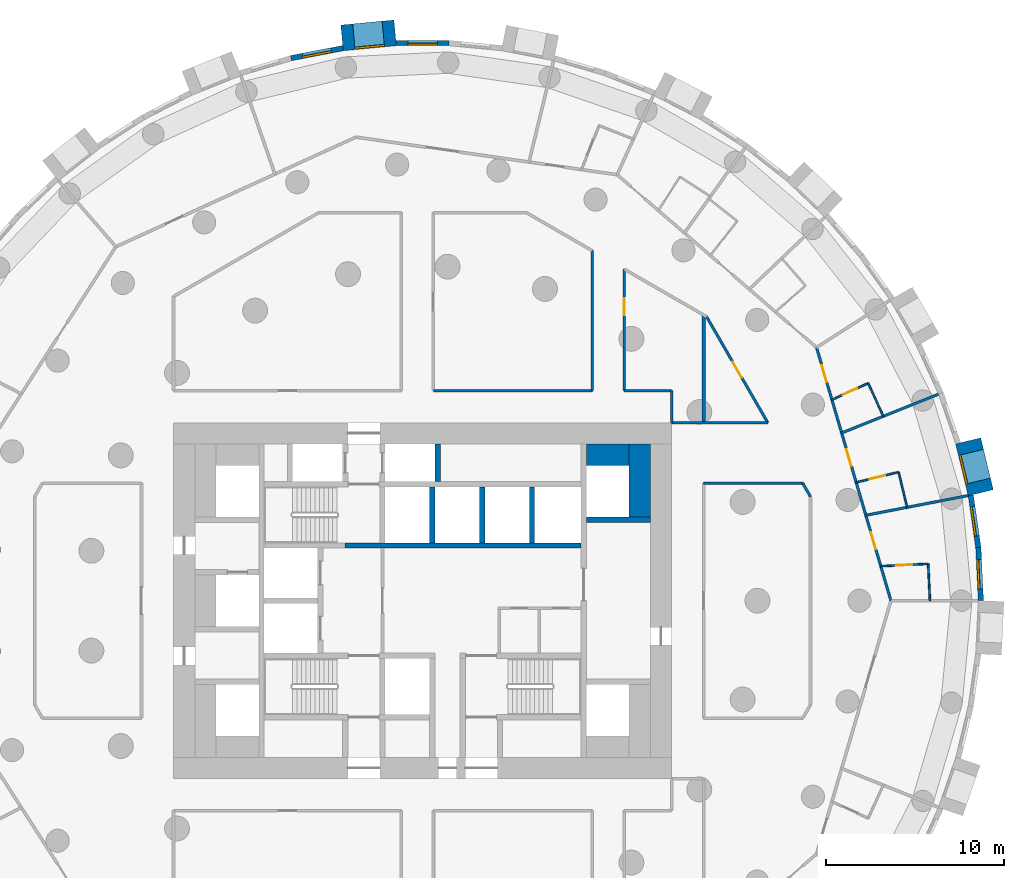
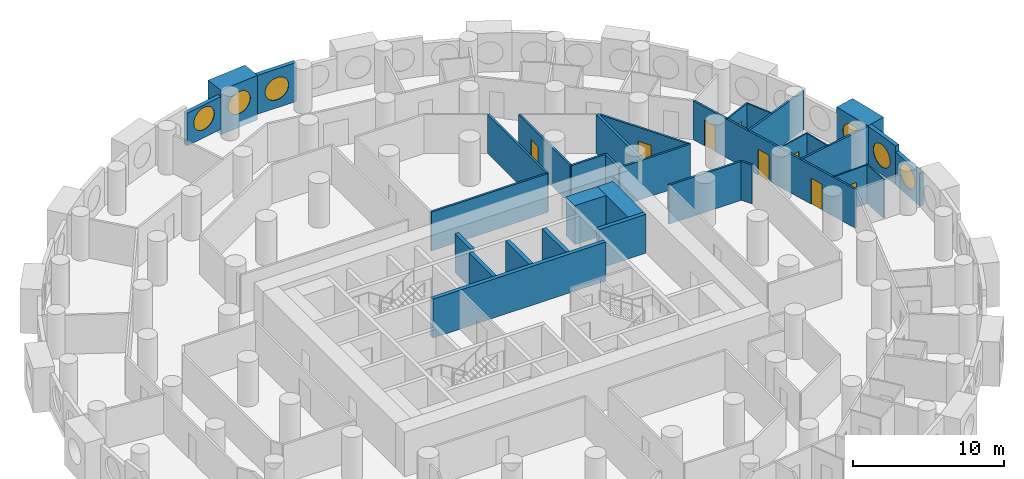
# One storey, part 8 of 12: 33 walls, 8 doors, 6 windows, 14 openings.
"""IFC4 building model written with IfcOpenShell, lengths in metres."""

from ifc_helpers import new_model, si_unit, direction, frame, frame_2d, origin, origin_2d, place, context, subcontext, project, spatial, rectangle, circle, extrude, material, layer, layer_set, type_object, element, fill, save


model = new_model("IFC4")

# Units and contexts
model_context = context("Model", 3, precision=1e-05, world=origin(), true_north=direction((0.0, 1.0)))
body_context = subcontext(model_context, "Body", "Model", "MODEL_VIEW")
ifc_project = project(units=[si_unit("LENGTHUNIT", "METRE"), si_unit("AREAUNIT", "SQUARE_METRE"), si_unit("VOLUMEUNIT", "CUBIC_METRE"), si_unit("PLANEANGLEUNIT", "RADIAN"), si_unit("MASSUNIT", "GRAM", prefix="KILO")], contexts=[model_context])

# Site, building, storey
site_placement = place(None, origin())
site = spatial("IfcSite", under=ifc_project, at=site_placement, CompositionType="ELEMENT")
building_placement = place(site_placement, origin())
building = spatial("IfcBuilding", under=site, at=building_placement, Name="Tracery Tower", CompositionType="ELEMENT")
storey_placement = place(building_placement, frame((0.0, 0.0, 78.60009765625)))
storey = spatial("IfcBuildingStorey", under=building, at=storey_placement, Name="L19", CompositionType="ELEMENT", Elevation=78.60009765625)

# Walls
ifc_material_1 = material(Name="Concrete C60/75", Category="concrete")
ifc_layer_1 = layer(ifc_material_1, 1.199951171875)
ifc_layer_set_1 = layer_set([ifc_layer_1], Name="Core strip wall 1200 C60")
wall_type_1 = type_object("IfcWallType", Name="Core strip wall 1200 C60", PredefinedType="SOLIDWALL", material=ifc_layer_set_1)
wall_1_placement = place(storey_placement, frame((12.199951171875, 4.699951171875, 0.0), z_axis=(0.0, 0.0, 1.0), x_axis=(0.0, 1.0, 0.0)))
element("IfcWall", 1, at=wall_1_placement, inside=storey, type_object=wall_type_1, Name="L19 wing strip +1 4.55", PredefinedType="SOLIDWALL", context=body_context, shape_type="SweptSolid", body=[
    extrude(rectangle(XDim=4.10009765625, YDim=1.199951171875, at=frame_2d((2.050048828125, 0.0))), origin(), (0.0, 0.0, 1.0), 3.14990234375),
])
wall_2_placement = place(storey_placement, frame((9.199951171875, 8.199951171875, 0.0), z_axis=(0.0, 0.0, 1.0), x_axis=(1.0, 0.0, 0.0)))
element("IfcWall", 2, at=wall_2_placement, inside=storey, type_object=wall_type_1, Name="L19 wing corner +1 +8.2", PredefinedType="SOLIDWALL", context=body_context, shape_type="SweptSolid", body=[
    extrude(rectangle(XDim=2.400146484375, YDim=1.199951171875, at=frame_2d((1.2001953125, 0.0))), origin(), (0.0, 0.0, 1.0), 3.14990234375),
])

# Wall, opening, window
ifc_material_2 = material(Name="Precast concrete C50/60", Category="concrete")
ifc_layer_2 = layer(ifc_material_2, 1.449951171875)
ifc_layer_set_2 = layer_set([ifc_layer_2], Name="Deep-set bay unit 3000 x 3600, slab edge 450")
wall_type_2 = type_object("IfcWallType", Name="Deep-set bay unit 3000 x 3600, slab edge 450", PredefinedType="ELEMENTEDWALL", material=ifc_layer_set_2)
wall_3_placement = place(storey_placement, frame((31.367919921875, 6.066162109375, -0.4501953125), z_axis=(0.0, 0.0, 1.0), x_axis=(-0.235751415068, 0.971813392732, 0.0)))
wall_3 = element("IfcWall", 3, at=wall_3_placement, inside=storey, type_object=wall_type_2, Name="Deep-set bay unit 3 at L19", PredefinedType="ELEMENTEDWALL", context=body_context, shape_type="SweptSolid", body=[
    extrude(rectangle(XDim=3.0, YDim=1.449951171875, at=frame_2d((1.5, 0.0))), origin(), (0.0, 0.0, 1.0), 3.60009765625),
])
opening_1_placement = place(wall_3_placement, frame((1.5, 0.0, 2.0)))
opening_1 = element("IfcOpeningElement", 4, at=opening_1_placement, cuts=wall_3, Name="Opening WN1", PredefinedType="OPENING", context=body_context, shape_type="SweptSolid", body=[
    extrude(circle(Radius=0.9000244140625, at=origin_2d()), frame((0.0, 0.73486328125, 0.0), z_axis=(0.0, -1.0, 0.0), x_axis=(1.0, 0.0, 0.0)), (0.0, 0.0, 1.0), 1.469970703125),
])
ifc_material_3 = material(Name="Aluminium frame with tinted double glazing", Category="aluminium")
window_type = type_object("IfcWindowType", Name="Round window 1800", PartitioningType="SINGLE_PANEL", PredefinedType="WINDOW", material=ifc_material_3)
window_1_placement = place(opening_1_placement, origin())
window_1 = element("IfcWindow", 5, at=window_1_placement, inside=storey, type_object=window_type, Name="Round window 3 at L19", OverallHeight=1.800048828125, OverallWidth=1.800048828125, PartitioningType="SINGLE_PANEL", PredefinedType="WINDOW", context=body_context, shape_type="SweptSolid", body=[
    extrude(circle(Radius=0.9000244140625, at=origin_2d()), frame((0.0, 0.69482421875, 0.0), z_axis=(0.0, -1.0, 0.0), x_axis=(1.0, 0.0, 0.0)), (0.0, 0.0, 1.0), 0.10009765625),
])
fill(opening_1, window_1)

wall_4_placement = place(storey_placement, frame((-1.540283203125, 31.911865234375, -0.4501953125), z_axis=(0.0, 0.0, 1.0), x_axis=(-0.995472768558, -0.09504718333, 0.0)))
wall_4 = element("IfcWall", 6, at=wall_4_placement, inside=storey, type_object=wall_type_2, Name="Deep-set bay unit 18 at L19", PredefinedType="ELEMENTEDWALL", context=body_context, shape_type="SweptSolid", body=[
    extrude(rectangle(XDim=3.000244140625, YDim=1.449951171875, at=frame_2d((1.5, 0.0))), origin(), (0.0, 0.0, 1.0), 3.60009765625),
])
opening_2_placement = place(wall_4_placement, frame((1.5, 0.0, 2.0)))
opening_2 = element("IfcOpeningElement", 7, at=opening_2_placement, cuts=wall_4, Name="Opening WN1", PredefinedType="OPENING", context=body_context, shape_type="SweptSolid", body=[
    extrude(circle(Radius=0.9000244140625, at=origin_2d()), frame((0.0, 0.73486328125, 0.0), z_axis=(0.0, -1.0, 0.0), x_axis=(1.0, 0.0, 0.0)), (0.0, 0.0, 1.0), 1.469970703125),
])
window_2_placement = place(opening_2_placement, origin())
window_2 = element("IfcWindow", 8, at=window_2_placement, inside=storey, type_object=window_type, Name="Round window 18 at L19", OverallHeight=1.800048828125, OverallWidth=1.800048828125, PartitioningType="SINGLE_PANEL", PredefinedType="WINDOW", context=body_context, shape_type="SweptSolid", body=[
    extrude(circle(Radius=0.9000244140625, at=origin_2d()), frame((0.0, 0.69482421875, 0.0), z_axis=(0.0, -1.0, 0.0), x_axis=(1.0, 0.0, 0.0)), (0.0, 0.0, 1.0), 0.10009765625),
])
fill(opening_2, window_2)

ifc_material_4 = material(Name="Precast concrete C50/60", Category="concrete")
ifc_layer_3 = layer(ifc_material_4, 0.300048828125)
ifc_layer_set_3 = layer_set([ifc_layer_3], Name="Facade panel 3000 x 2650")
wall_type_3 = type_object("IfcWallType", Name="Facade panel 3000 x 2650", PredefinedType="SOLIDWALL", material=ifc_layer_set_3)
wall_5_placement = place(storey_placement, frame((31.3740234375, 0.006103515625, 0.0), z_axis=(0.0, 0.0, 1.0), x_axis=(-0.047522328113, 0.998870175914, 0.0)))
wall_5 = element("IfcWall", 9, at=wall_5_placement, inside=storey, type_object=wall_type_3, Name="Facade panel 1 at L19", PredefinedType="SOLIDWALL", context=body_context, shape_type="SweptSolid", body=[
    extrude(rectangle(XDim=2.979736328125, YDim=0.300048828125, at=frame_2d((1.48974609375, 0.0))), origin(), (0.0, 0.0, 1.0), 2.64990234375),
])
opening_3_placement = place(wall_5_placement, frame((1.48974609375, 0.0, 1.5498046875)))
opening_3 = element("IfcOpeningElement", 10, at=opening_3_placement, cuts=wall_5, Name="Opening WN1", PredefinedType="OPENING", context=body_context, shape_type="SweptSolid", body=[
    extrude(circle(Radius=0.9000244140625, at=origin_2d()), frame((0.0, 0.159912109375, 0.0), z_axis=(0.0, -1.0, 0.0), x_axis=(1.0, 0.0, 0.0)), (0.0, 0.0, 1.0), 0.320068359375),
])
window_3_placement = place(opening_3_placement, origin())
window_3 = element("IfcWindow", 11, at=window_3_placement, inside=storey, type_object=window_type, Name="Round window 1 at L19", OverallHeight=1.800048828125, OverallWidth=1.800048828125, PartitioningType="SINGLE_PANEL", PredefinedType="WINDOW", context=body_context, shape_type="SweptSolid", body=[
    extrude(circle(Radius=0.9000244140625, at=origin_2d()), frame((0.0, 0.1201171875, 0.0), z_axis=(0.0, -1.0, 0.0), x_axis=(1.0, 0.0, 0.0)), (0.0, 0.0, 1.0), 0.10009765625),
])
fill(opening_3, window_3)

wall_6_placement = place(storey_placement, frame((-4.470947265625, 31.053955078125, 0.0), z_axis=(0.0, 0.0, 1.0), x_axis=(-0.981924535406, -0.189272836848, 0.0)))
wall_6 = element("IfcWall", 12, at=wall_6_placement, inside=storey, type_object=wall_type_3, Name="Facade panel 19 at L19", PredefinedType="SOLIDWALL", context=body_context, shape_type="SweptSolid", body=[
    extrude(rectangle(XDim=2.979736328125, YDim=0.300048828125, at=frame_2d((1.48974609375, 0.0))), origin(), (0.0, 0.0, 1.0), 2.64990234375),
])
opening_4_placement = place(wall_6_placement, frame((1.48974609375, 0.0, 1.5498046875)))
opening_4 = element("IfcOpeningElement", 13, at=opening_4_placement, cuts=wall_6, Name="Opening WN1", PredefinedType="OPENING", context=body_context, shape_type="SweptSolid", body=[
    extrude(circle(Radius=0.9000244140625, at=origin_2d()), frame((0.0, 0.159912109375, 0.0), z_axis=(0.0, -1.0, 0.0), x_axis=(1.0, 0.0, 0.0)), (0.0, 0.0, 1.0), 0.320068359375),
])
window_4_placement = place(opening_4_placement, origin())
window_4 = element("IfcWindow", 14, at=window_4_placement, inside=storey, type_object=window_type, Name="Round window 19 at L19", OverallHeight=1.800048828125, OverallWidth=1.800048828125, PartitioningType="SINGLE_PANEL", PredefinedType="WINDOW", context=body_context, shape_type="SweptSolid", body=[
    extrude(circle(Radius=0.9000244140625, at=origin_2d()), frame((0.0, 0.1201171875, 0.0), z_axis=(0.0, -1.0, 0.0), x_axis=(1.0, 0.0, 0.0)), (0.0, 0.0, 1.0), 0.10009765625),
])
fill(opening_4, window_4)

ifc_material_5 = material(Name="Precast concrete C50/60", Category="concrete")
ifc_layer_4 = layer(ifc_material_5, 0.300048828125)
ifc_layer_set_4 = layer_set([ifc_layer_4], Name="Facade panel 3000 x 3150")
wall_type_4 = type_object("IfcWallType", Name="Facade panel 3000 x 3150", PredefinedType="SOLIDWALL", material=ifc_layer_set_4)
wall_7_placement = place(storey_placement, frame((31.232421875, 2.982421875, 0.0), z_axis=(0.0, 0.0, 1.0), x_axis=(-0.142327539111, 0.989819615693, 0.0)))
wall_7 = element("IfcWall", 15, at=wall_7_placement, inside=storey, type_object=wall_type_4, Name="Facade panel 2 at L19", PredefinedType="SOLIDWALL", context=body_context, shape_type="SweptSolid", body=[
    extrude(rectangle(XDim=2.9794921875, YDim=0.300048828125, at=frame_2d((1.48974609375, 0.0))), origin(), (0.0, 0.0, 1.0), 3.14990234375),
])
opening_5_placement = place(wall_7_placement, frame((1.48974609375, 0.0, 1.5498046875)))
opening_5 = element("IfcOpeningElement", 16, at=opening_5_placement, cuts=wall_7, Name="Opening WN1", PredefinedType="OPENING", context=body_context, shape_type="SweptSolid", body=[
    extrude(circle(Radius=0.9000244140625, at=origin_2d()), frame((0.0, 0.159912109375, 0.0), z_axis=(0.0, -1.0, 0.0), x_axis=(1.0, 0.0, 0.0)), (0.0, 0.0, 1.0), 0.320068359375),
])
window_5_placement = place(opening_5_placement, origin())
window_5 = element("IfcWindow", 17, at=window_5_placement, inside=storey, type_object=window_type, Name="Round window 2 at L19", OverallHeight=1.800048828125, OverallWidth=1.800048828125, PartitioningType="SINGLE_PANEL", PredefinedType="WINDOW", context=body_context, shape_type="SweptSolid", body=[
    extrude(circle(Radius=0.9000244140625, at=origin_2d()), frame((0.0, 0.1201171875, 0.0), z_axis=(0.0, -1.0, 0.0), x_axis=(1.0, 0.0, 0.0)), (0.0, 0.0, 1.0), 0.10009765625),
])
fill(opening_5, window_5)

wall_8_placement = place(storey_placement, frame((1.492919921875, 31.3388671875, 0.0), z_axis=(0.0, 0.0, 1.0), x_axis=(-1.0, 0.0, 0.0)))
wall_8 = element("IfcWall", 18, at=wall_8_placement, inside=storey, type_object=wall_type_4, Name="Facade panel 17 at L19", PredefinedType="SOLIDWALL", context=body_context, shape_type="SweptSolid", body=[
    extrude(rectangle(XDim=2.979736328125, YDim=0.300048828125, at=frame_2d((1.48974609375, 0.0))), origin(), (0.0, 0.0, 1.0), 3.14990234375),
])
opening_6_placement = place(wall_8_placement, frame((1.48974609375, 0.0, 1.5498046875)))
opening_6 = element("IfcOpeningElement", 19, at=opening_6_placement, cuts=wall_8, Name="Opening WN1", PredefinedType="OPENING", context=body_context, shape_type="SweptSolid", body=[
    extrude(circle(Radius=0.9000244140625, at=origin_2d()), frame((0.0, 0.159912109375, 0.0), z_axis=(0.0, -1.0, 0.0), x_axis=(1.0, 0.0, 0.0)), (0.0, 0.0, 1.0), 0.320068359375),
])
window_6_placement = place(opening_6_placement, origin())
window_6 = element("IfcWindow", 20, at=window_6_placement, inside=storey, type_object=window_type, Name="Round window 17 at L19", OverallHeight=1.800048828125, OverallWidth=1.800048828125, PartitioningType="SINGLE_PANEL", PredefinedType="WINDOW", context=body_context, shape_type="SweptSolid", body=[
    extrude(circle(Radius=0.9000244140625, at=origin_2d()), frame((0.0, 0.1201171875, 0.0), z_axis=(0.0, -1.0, 0.0), x_axis=(1.0, 0.0, 0.0)), (0.0, 0.0, 1.0), 0.10009765625),
])
fill(opening_6, window_6)

# Wall
ifc_material_6 = material(Name="Plasterboard on steel studs", Category="steel")
ifc_layer_5 = layer(ifc_material_6, 0.10009765625)
ifc_layer_set_5 = layer_set([ifc_layer_5], Name="Partition 100 wet wall")
wall_type_5 = type_object("IfcWallType", Name="Partition 100 wet wall", PredefinedType="PARTITIONING", material=ifc_layer_set_5)
wall_9_placement = place(storey_placement, frame((28.412109375, 2.069091796875, 0.0), z_axis=(0.0, 0.0, 1.0), x_axis=(0.047733138673, -0.998860124078, 0.0)))
element("IfcWall", 21, at=wall_9_placement, inside=storey, type_object=wall_type_5, Name="Wet wall RA5-058", PredefinedType="PARTITIONING", context=body_context, shape_type="SweptSolid", body=[
    extrude(rectangle(XDim=2.071533203125, YDim=0.10009765625, at=frame_2d((1.03564453125, 0.0))), origin(), (0.0, 0.0, 1.0), 3.14990234375),
])

# Wall, opening, door
wall_10_placement = place(storey_placement, frame((25.7490234375, 1.94189453125, 0.0), z_axis=(0.0, 0.0, 1.0), x_axis=(0.998861290624, 0.047708721344, 0.0)))
wall_10 = element("IfcWall", 22, at=wall_10_placement, inside=storey, type_object=wall_type_5, Name="Wet wall RA5-059", PredefinedType="PARTITIONING", context=body_context, shape_type="SweptSolid", body=[
    extrude(rectangle(XDim=2.666015625, YDim=0.10009765625, at=frame_2d((1.3330078125, 0.0))), origin(), (0.0, 0.0, 1.0), 3.14990234375),
])
opening_7_placement = place(wall_10_placement, frame((0.883056640625, 0.0, 0.0)))
opening_7 = element("IfcOpeningElement", 23, at=opening_7_placement, cuts=wall_10, Name="Opening RA5-10", PredefinedType="OPENING", context=body_context, shape_type="SweptSolid", body=[
    extrude(rectangle(XDim=0.89990234375, YDim=2.0400390625, at=frame_2d((0.449951171875, 1.02001953125))), frame((0.0, 0.050048828125, 0.0), z_axis=(0.0, -1.0, 0.0), x_axis=(1.0, 0.0, 0.0)), (0.0, 0.0, 1.0), 0.10009765625),
])
ifc_material_7 = material(Name="Timber door leaf", Category="wood")
door_type_1 = type_object("IfcDoorType", Name="Door en-suite 900", OperationType="NOTDEFINED", PredefinedType="DOOR", material=ifc_material_7)
door_1_placement = place(opening_7_placement, origin())
door_1 = element("IfcDoor", 24, at=door_1_placement, inside=storey, type_object=door_type_1, Name="En-suite door RA5-10", OperationType="SINGLE_SWING_LEFT", OverallHeight=2.0400390625, OverallWidth=0.89990234375, PredefinedType="DOOR", context=body_context, shape_type="SweptSolid", body=[
    extrude(rectangle(XDim=0.89990234375, YDim=2.0400390625, at=frame_2d((0.449951171875, 1.02001953125))), frame((0.0, 0.02490234375, 0.0), z_axis=(0.0, -1.0, 0.0), x_axis=(1.0, 0.0, 0.0)), (0.0, 0.0, 1.0), 0.050048828125),
])
fill(opening_7, door_1)

# Wall
wall_11_placement = place(storey_placement, frame((26.75, 7.22509765625, 0.0), z_axis=(0.0, 0.0, 1.0), x_axis=(0.23592286129, -0.97177178572, 0.0)))
element("IfcWall", 25, at=wall_11_placement, inside=storey, type_object=wall_type_5, Name="Wet wall RA5-062", PredefinedType="PARTITIONING", context=body_context, shape_type="SweptSolid", body=[
    extrude(rectangle(XDim=2.034423828125, YDim=0.10009765625, at=frame_2d((1.01708984375, 0.0))), origin(), (0.0, 0.0, 1.0), 3.14990234375),
])

# Wall, opening, door
wall_12_placement = place(storey_placement, frame((24.366943359375, 6.64599609375, 0.0), z_axis=(0.0, 0.0, 1.0), x_axis=(0.971720101056, 0.236135650006, 0.0)))
wall_12 = element("IfcWall", 26, at=wall_12_placement, inside=storey, type_object=wall_type_5, Name="Wet wall RA5-063", PredefinedType="PARTITIONING", context=body_context, shape_type="SweptSolid", body=[
    extrude(rectangle(XDim=2.452392578125, YDim=0.10009765625, at=frame_2d((1.22607421875, 0.0))), origin(), (0.0, 0.0, 1.0), 3.14990234375),
])
opening_8_placement = place(wall_12_placement, frame((0.7763671875, 0.0, 0.0)))
opening_8 = element("IfcOpeningElement", 27, at=opening_8_placement, cuts=wall_12, Name="Opening RA5-12", PredefinedType="OPENING", context=body_context, shape_type="SweptSolid", body=[
    extrude(rectangle(XDim=0.89990234375, YDim=2.0400390625, at=frame_2d((0.449951171875, 1.02001953125))), frame((0.0, 0.050048828125, 0.0), z_axis=(0.0, -1.0, 0.0), x_axis=(1.0, 0.0, 0.0)), (0.0, 0.0, 1.0), 0.10009765625),
])
door_2_placement = place(opening_8_placement, origin())
door_2 = element("IfcDoor", 28, at=door_2_placement, inside=storey, type_object=door_type_1, Name="En-suite door RA5-12", OperationType="SINGLE_SWING_LEFT", OverallHeight=2.0400390625, OverallWidth=0.89990234375, PredefinedType="DOOR", context=body_context, shape_type="SweptSolid", body=[
    extrude(rectangle(XDim=0.89990234375, YDim=2.0400390625, at=frame_2d((0.449951171875, 1.02001953125))), frame((0.0, 0.02490234375, 0.0), z_axis=(0.0, -1.0, 0.0), x_axis=(1.0, 0.0, 0.0)), (0.0, 0.0, 1.0), 0.050048828125),
])
fill(opening_8, door_2)

# Wall
wall_13_placement = place(storey_placement, frame((25.04296875, 12.221923828125, 0.0), z_axis=(0.0, 0.0, 1.0), x_axis=(0.41546015385, -0.909611378866, 0.0)))
element("IfcWall", 29, at=wall_13_placement, inside=storey, type_object=wall_type_5, Name="Wet wall RA5-065", PredefinedType="PARTITIONING", context=body_context, shape_type="SweptSolid", body=[
    extrude(rectangle(XDim=2.04150390625, YDim=0.10009765625, at=frame_2d((1.020751953125, 0.0))), origin(), (0.0, 0.0, 1.0), 3.14990234375),
])

# Wall, opening, door
wall_14_placement = place(storey_placement, frame((23.0029296875, 11.291015625, 0.0), z_axis=(0.0, 0.0, 1.0), x_axis=(0.90975773562, 0.41513956988, 0.0)))
wall_14 = element("IfcWall", 30, at=wall_14_placement, inside=storey, type_object=wall_type_5, Name="Wet wall RA5-066", PredefinedType="PARTITIONING", context=body_context, shape_type="SweptSolid", body=[
    extrude(rectangle(XDim=2.242431640625, YDim=0.10009765625, at=frame_2d((1.12109375, 0.0))), origin(), (0.0, 0.0, 1.0), 3.14990234375),
])
opening_9_placement = place(wall_14_placement, frame((0.67138671875, 0.0, 0.0)))
opening_9 = element("IfcOpeningElement", 31, at=opening_9_placement, cuts=wall_14, Name="Opening RA5-14", PredefinedType="OPENING", context=body_context, shape_type="SweptSolid", body=[
    extrude(rectangle(XDim=0.89990234375, YDim=2.0400390625, at=frame_2d((0.449951171875, 1.02001953125))), frame((0.0, 0.050048828125, 0.0), z_axis=(0.0, -1.0, 0.0), x_axis=(1.0, 0.0, 0.0)), (0.0, 0.0, 1.0), 0.10009765625),
])
door_3_placement = place(opening_9_placement, origin())
door_3 = element("IfcDoor", 32, at=door_3_placement, inside=storey, type_object=door_type_1, Name="En-suite door RA5-14", OperationType="SINGLE_SWING_LEFT", OverallHeight=2.0400390625, OverallWidth=0.89990234375, PredefinedType="DOOR", context=body_context, shape_type="SweptSolid", body=[
    extrude(rectangle(XDim=0.89990234375, YDim=2.0400390625, at=frame_2d((0.449951171875, 1.02001953125))), frame((0.0, 0.02490234375, 0.0), z_axis=(0.0, -1.0, 0.0), x_axis=(1.0, 0.0, 0.0)), (0.0, 0.0, 1.0), 0.050048828125),
])
fill(opening_9, door_3)

# Walls
ifc_material_8 = material(Name="Plasterboard on steel studs", Category="steel")
ifc_layer_6 = layer(ifc_material_8, 0.14990234375)
ifc_layer_set_6 = layer_set([ifc_layer_6], Name="Partition 150 acoustic unit wall")
wall_type_6 = type_object("IfcWallType", Name="Partition 150 acoustic unit wall", PredefinedType="PARTITIONING", material=ifc_layer_set_6)
wall_15_placement = place(storey_placement, frame((24.9091796875, 4.80029296875, 0.0), z_axis=(0.0, 0.0, 1.0), x_axis=(0.981919819649, 0.18929729998, 0.0)))
element("IfcWall", 33, at=wall_15_placement, inside=storey, type_object=wall_type_6, Name="Unit wall RA5-060", PredefinedType="PARTITIONING", context=body_context, shape_type="SweptSolid", body=[
    extrude(rectangle(XDim=5.856689453125, YDim=0.14990234375, at=frame_2d((2.92822265625, 0.0))), origin(), (0.0, 0.0, 1.0), 3.14990234375),
])
wall_16_placement = place(storey_placement, frame((23.55029296875, 9.427001953125, 0.0), z_axis=(0.0, 0.0, 1.0), x_axis=(0.928307005382, 0.371814609393, 0.0)))
element("IfcWall", 34, at=wall_16_placement, inside=storey, type_object=wall_type_6, Name="Unit wall RA5-064", PredefinedType="PARTITIONING", context=body_context, shape_type="SweptSolid", body=[
    extrude(rectangle(XDim=5.857666015625, YDim=0.14990234375, at=frame_2d((2.9287109375, 0.0))), origin(), (0.0, 0.0, 1.0), 3.14990234375),
])
ifc_material_9 = material(Name="Plasterboard on steel studs", Category="steel")
ifc_layer_7 = layer(ifc_material_9, 0.14990234375)
ifc_layer_set_7 = layer_set([ifc_layer_7], Name="Partition 150 corridor wall")
wall_type_7 = type_object("IfcWallType", Name="Partition 150 corridor wall", PredefinedType="PARTITIONING", material=ifc_layer_set_7)
wall_17_placement = place(storey_placement, frame((0.60400390625, 11.800048828125, 0.0), z_axis=(0.0, 0.0, 1.0), x_axis=(1.0, 0.0, 0.0)))
element("IfcWall", 35, at=wall_17_placement, inside=storey, type_object=wall_type_7, Name="Corridor wall RA5-002", PredefinedType="PARTITIONING", context=body_context, shape_type="SweptSolid", body=[
    extrude(rectangle(XDim=8.93603515625, YDim=0.14990234375, at=frame_2d((4.468017578125, 0.0))), origin(), (0.0, 0.0, 1.0), 3.14990234375),
])
wall_18_placement = place(storey_placement, frame((11.33203125, 11.800048828125, 0.0), z_axis=(0.0, 0.0, 1.0), x_axis=(1.0, 0.0, 0.0)))
element("IfcWall", 36, at=wall_18_placement, inside=storey, type_object=wall_type_7, Name="Corridor wall RA5-003", PredefinedType="PARTITIONING", context=body_context, shape_type="SweptSolid", body=[
    extrude(rectangle(XDim=2.66796875, YDim=0.14990234375, at=frame_2d((1.333984375, 0.0))), origin(), (0.0, 0.0, 1.0), 3.14990234375),
])
wall_19_placement = place(storey_placement, frame((14.0, 10.0, 0.0), z_axis=(0.0, 0.0, 1.0), x_axis=(0.0, 1.0, 0.0)))
element("IfcWall", 37, at=wall_19_placement, inside=storey, type_object=wall_type_7, Name="Corridor wall RA5-004", PredefinedType="PARTITIONING", context=body_context, shape_type="SweptSolid", body=[
    extrude(rectangle(XDim=1.800048828125, YDim=0.14990234375, at=frame_2d((0.89990234375, 0.0))), origin(), (0.0, 0.0, 1.0), 3.14990234375),
])
wall_20_placement = place(storey_placement, frame((14.0, 10.0, 0.0), z_axis=(0.0, 0.0, 1.0), x_axis=(1.0, 0.0, 0.0)))
element("IfcWall", 38, at=wall_20_placement, inside=storey, type_object=wall_type_7, Name="Corridor wall RA5-009", PredefinedType="PARTITIONING", context=body_context, shape_type="SweptSolid", body=[
    extrude(rectangle(XDim=5.40087890625, YDim=0.14990234375, at=frame_2d((2.700439453125, 0.0))), origin(), (0.0, 0.0, 1.0), 3.14990234375),
])
wall_21_placement = place(storey_placement, frame((21.364013671875, 6.60009765625, 0.0), z_axis=(0.0, 0.0, 1.0), x_axis=(0.500277597875, -0.865865073245, 0.0)))
element("IfcWall", 39, at=wall_21_placement, inside=storey, type_object=wall_type_7, Name="Corridor wall RA5-017", PredefinedType="PARTITIONING", context=body_context, shape_type="SweptSolid", body=[
    extrude(rectangle(XDim=0.87548828125, YDim=0.14990234375, at=frame_2d((0.437744140625, 0.0))), origin(), (0.0, 0.0, 1.0), 3.14990234375),
])
wall_22_placement = place(storey_placement, frame((15.800048828125, 6.60009765625, 0.0), z_axis=(0.0, 0.0, 1.0), x_axis=(1.0, 0.0, 0.0)))
element("IfcWall", 40, at=wall_22_placement, inside=storey, type_object=wall_type_7, Name="Corridor wall RA5-018", PredefinedType="PARTITIONING", context=body_context, shape_type="SweptSolid", body=[
    extrude(rectangle(XDim=5.56396484375, YDim=0.14990234375, at=frame_2d((2.781982421875, 0.0))), origin(), (0.0, 0.0, 1.0), 3.14990234375),
])

# Wall, opening, door
wall_23_placement = place(storey_placement, frame((15.9599609375, 15.9599609375, 0.0), z_axis=(0.0, 0.0, 1.0), x_axis=(0.499992689227, -0.86602962462, 0.0)))
wall_23 = element("IfcWall", 41, at=wall_23_placement, inside=storey, type_object=wall_type_7, Name="Corridor wall RA5-019", PredefinedType="PARTITIONING", context=body_context, shape_type="SweptSolid", body=[
    extrude(rectangle(XDim=6.8818359375, YDim=0.14990234375, at=frame_2d((3.44091796875, 0.0))), origin(), (0.0, 0.0, 1.0), 3.14990234375),
])
opening_10_placement = place(wall_23_placement, frame((2.94091796875, 0.0, 0.0)))
opening_10 = element("IfcOpeningElement", 42, at=opening_10_placement, cuts=wall_23, Name="Opening RA5-09", PredefinedType="OPENING", context=body_context, shape_type="SweptSolid", body=[
    extrude(rectangle(XDim=1.0, YDim=2.0400390625, at=frame_2d((0.5, 1.02001953125))), frame((0.0, 0.074951171875, 0.0), z_axis=(0.0, -1.0, 0.0), x_axis=(1.0, 0.0, 0.0)), (0.0, 0.0, 1.0), 0.14990234375),
])
ifc_material_10 = material(Name="Timber door leaf", Category="wood")
door_type_2 = type_object("IfcDoorType", Name="Door communal room 1000", OperationType="NOTDEFINED", PredefinedType="DOOR", material=ifc_material_10)
door_4_placement = place(opening_10_placement, origin())
door_4 = element("IfcDoor", 43, at=door_4_placement, inside=storey, type_object=door_type_2, Name="Communal room door RA5-09", OperationType="SINGLE_SWING_LEFT", OverallHeight=2.0400390625, OverallWidth=1.0, PredefinedType="DOOR", context=body_context, shape_type="SweptSolid", body=[
    extrude(rectangle(XDim=1.0, YDim=2.0400390625, at=frame_2d((0.5, 1.02001953125))), frame((0.0, 0.02490234375, 0.0), z_axis=(0.0, -1.0, 0.0), x_axis=(1.0, 0.0, 0.0)), (0.0, 0.0, 1.0), 0.050048828125),
])
fill(opening_10, door_4)

# Wall, openings, doors
wall_24_placement = place(storey_placement, frame((22.140380859375, 14.228759765625, 0.0), z_axis=(0.0, 0.0, 1.0), x_axis=(0.281780364869, -0.959478934617, 0.0)))
wall_24 = element("IfcWall", 44, at=wall_24_placement, inside=storey, type_object=wall_type_7, Name="Corridor wall RA5-020", PredefinedType="PARTITIONING", context=body_context, shape_type="SweptSolid", body=[
    extrude(rectangle(XDim=14.82958984375, YDim=0.14990234375, at=frame_2d((7.414794921875, 0.0))), origin(), (0.0, 0.0, 1.0), 3.14990234375),
])
opening_11_placement = place(wall_24_placement, frame((10.81591796875, 0.0, 0.0)))
opening_11 = element("IfcOpeningElement", 45, at=opening_11_placement, cuts=wall_24, Name="Opening RA5-11", PredefinedType="OPENING", context=body_context, shape_type="SweptSolid", body=[
    extrude(rectangle(XDim=1.0, YDim=2.10009765625, at=frame_2d((0.5, 1.050048828125))), frame((0.0, 0.074951171875, 0.0), z_axis=(0.0, -1.0, 0.0), x_axis=(1.0, 0.0, 0.0)), (0.0, 0.0, 1.0), 0.14990234375),
])
opening_12_placement = place(wall_24_placement, frame((5.953369140625, 0.0, 0.0)))
opening_12 = element("IfcOpeningElement", 46, at=opening_12_placement, cuts=wall_24, Name="Opening RA5-13", PredefinedType="OPENING", context=body_context, shape_type="SweptSolid", body=[
    extrude(rectangle(XDim=1.0, YDim=2.10009765625, at=frame_2d((0.5, 1.050048828125))), frame((0.0, 0.074951171875, 0.0), z_axis=(0.0, -1.0, 0.0), x_axis=(1.0, 0.0, 0.0)), (0.0, 0.0, 1.0), 0.14990234375),
])
opening_13_placement = place(wall_24_placement, frame((1.032958984375, 0.0, 0.0)))
opening_13 = element("IfcOpeningElement", 47, at=opening_13_placement, cuts=wall_24, Name="Opening RA5-15", PredefinedType="OPENING", context=body_context, shape_type="SweptSolid", body=[
    extrude(rectangle(XDim=1.0, YDim=2.10009765625, at=frame_2d((0.5, 1.050048828125))), frame((0.0, 0.074951171875, 0.0), z_axis=(0.0, -1.0, 0.0), x_axis=(1.0, 0.0, 0.0)), (0.0, 0.0, 1.0), 0.14990234375),
])
ifc_material_11 = material(Name="Timber door leaf", Category="wood")
door_type_3 = type_object("IfcDoorType", Name="Door unit entrance 1000", OperationType="NOTDEFINED", PredefinedType="DOOR", material=ifc_material_11)
door_5_placement = place(opening_11_placement, origin())
door_5 = element("IfcDoor", 48, at=door_5_placement, inside=storey, type_object=door_type_3, Name="Unit entrance door RA5-11", OperationType="SINGLE_SWING_LEFT", OverallHeight=2.10009765625, OverallWidth=1.0, PredefinedType="DOOR", context=body_context, shape_type="SweptSolid", body=[
    extrude(rectangle(XDim=1.0, YDim=2.10009765625, at=frame_2d((0.5, 1.050048828125))), frame((0.0, 0.02490234375, 0.0), z_axis=(0.0, -1.0, 0.0), x_axis=(1.0, 0.0, 0.0)), (0.0, 0.0, 1.0), 0.050048828125),
])
fill(opening_11, door_5)
door_6_placement = place(opening_12_placement, origin())
door_6 = element("IfcDoor", 49, at=door_6_placement, inside=storey, type_object=door_type_3, Name="Unit entrance door RA5-13", OperationType="SINGLE_SWING_LEFT", OverallHeight=2.10009765625, OverallWidth=1.0, PredefinedType="DOOR", context=body_context, shape_type="SweptSolid", body=[
    extrude(rectangle(XDim=1.0, YDim=2.10009765625, at=frame_2d((0.5, 1.050048828125))), frame((0.0, 0.02490234375, 0.0), z_axis=(0.0, -1.0, 0.0), x_axis=(1.0, 0.0, 0.0)), (0.0, 0.0, 1.0), 0.050048828125),
])
fill(opening_12, door_6)
door_7_placement = place(opening_13_placement, origin())
door_7 = element("IfcDoor", 50, at=door_7_placement, inside=storey, type_object=door_type_3, Name="Unit entrance door RA5-15", OperationType="SINGLE_SWING_LEFT", OverallHeight=2.10009765625, OverallWidth=1.0, PredefinedType="DOOR", context=body_context, shape_type="SweptSolid", body=[
    extrude(rectangle(XDim=1.0, YDim=2.10009765625, at=frame_2d((0.5, 1.050048828125))), frame((0.0, 0.02490234375, 0.0), z_axis=(0.0, -1.0, 0.0), x_axis=(1.0, 0.0, 0.0)), (0.0, 0.0, 1.0), 0.050048828125),
])
fill(opening_13, door_7)

# Wall
wall_25_placement = place(storey_placement, frame((9.535888671875, 11.800048828125, 0.0), z_axis=(0.0, 0.0, 1.0), x_axis=(0.0, 1.0, 0.0)))
element("IfcWall", 51, at=wall_25_placement, inside=storey, type_object=wall_type_7, Name="Corridor wall RA5-028", PredefinedType="PARTITIONING", context=body_context, shape_type="SweptSolid", body=[
    extrude(rectangle(XDim=7.868896484375, YDim=0.14990234375, at=frame_2d((3.9345703125, 0.0))), origin(), (0.0, 0.0, 1.0), 3.14990234375),
])

# Wall, opening, door
wall_26_placement = place(storey_placement, frame((11.3359375, 11.800048828125, 0.0), z_axis=(0.0, 0.0, 1.0), x_axis=(0.0, 1.0, 0.0)))
wall_26 = element("IfcWall", 52, at=wall_26_placement, inside=storey, type_object=wall_type_7, Name="Corridor wall RA5-033", PredefinedType="PARTITIONING", context=body_context, shape_type="SweptSolid", body=[
    extrude(rectangle(XDim=6.829833984375, YDim=0.14990234375, at=frame_2d((3.4150390625, 0.0))), origin(), (0.0, 0.0, 1.0), 3.14990234375),
])
opening_14_placement = place(wall_26_placement, frame((4.239990234375, 0.0, 0.0)))
opening_14 = element("IfcOpeningElement", 53, at=opening_14_placement, cuts=wall_26, Name="Opening RA5-03", PredefinedType="OPENING", context=body_context, shape_type="SweptSolid", body=[
    extrude(rectangle(XDim=0.949951171875, YDim=2.10009765625, at=frame_2d((0.47509765625, 1.050048828125))), frame((0.0, 0.074951171875, 0.0), z_axis=(0.0, -1.0, 0.0), x_axis=(1.0, 0.0, 0.0)), (0.0, 0.0, 1.0), 0.14990234375),
])
ifc_material_12 = material(Name="Timber door leaf", Category="wood")
door_type_4 = type_object("IfcDoorType", Name="Door store 950", OperationType="NOTDEFINED", PredefinedType="DOOR", material=ifc_material_12)
door_8_placement = place(opening_14_placement, origin())
door_8 = element("IfcDoor", 54, at=door_8_placement, inside=storey, type_object=door_type_4, Name="Store door RA5-03", OperationType="SINGLE_SWING_LEFT", OverallHeight=2.10009765625, OverallWidth=0.949951171875, PredefinedType="DOOR", context=body_context, shape_type="SweptSolid", body=[
    extrude(rectangle(XDim=0.949951171875, YDim=2.10009765625, at=frame_2d((0.47509765625, 1.050048828125))), frame((0.0, 0.02490234375, 0.0), z_axis=(0.0, -1.0, 0.0), x_axis=(1.0, 0.0, 0.0)), (0.0, 0.0, 1.0), 0.050048828125),
])
fill(opening_14, door_8)

# Walls
ifc_material_13 = material(Name="Plasterboard on steel studs", Category="steel")
ifc_layer_8 = layer(ifc_material_13, 0.199951171875)
ifc_layer_set_8 = layer_set([ifc_layer_8], Name="Partition 200 compartment wall")
wall_type_8 = type_object("IfcWallType", Name="Partition 200 compartment wall", PredefinedType="PARTITIONING", material=ifc_layer_set_8)
wall_27_placement = place(storey_placement, frame((15.800048828125, 10.0, 0.0), z_axis=(0.0, 0.0, 1.0), x_axis=(0.0, 1.0, 0.0)))
element("IfcWall", 55, at=wall_27_placement, inside=storey, type_object=wall_type_8, Name="Compartment wall RA5-057", PredefinedType="PARTITIONING", context=body_context, shape_type="SweptSolid", body=[
    extrude(rectangle(XDim=6.052978515625, YDim=0.199951171875, at=frame_2d((3.0263671875, 0.0))), origin(), (0.0, 0.0, 1.0), 3.14990234375),
])
ifc_material_14 = material(Name="Concrete C60/75", Category="concrete")
ifc_layer_9 = layer(ifc_material_14, 0.300048828125)
ifc_layer_set_9 = layer_set([ifc_layer_9], Name="Shaft wall 300 C60")
wall_type_9 = type_object("IfcWallType", Name="Shaft wall 300 C60", PredefinedType="SOLIDWALL", material=ifc_layer_set_9)
for number, where, z_axis, x_axis, name in (
    (56, (0.550048828125, 3.25, 0.0), (0.0, 0.0, 1.0), (0.0, 1.0, 0.0), "L19 HR sep 1"),
    (57, (3.35009765625, 3.25, 0.0), (0.0, 0.0, 1.0), (0.0, 1.0, 0.0), "L19 HR sep 2"),
    (58, (6.14990234375, 3.25, 0.0), (0.0, 0.0, 1.0), (0.0, 1.0, 0.0), "L19 HR sep 3"),
):
    element("IfcWall", number, at=place(storey_placement, frame(where, z_axis=z_axis, x_axis=x_axis)), inside=storey, type_object=wall_type_9, Name=name, PredefinedType="SOLIDWALL", context=body_context, shape_type="SweptSolid", body=[
        extrude(rectangle(XDim=3.14990234375, YDim=0.300048828125, at=frame_2d((1.574951171875, 0.0))), origin(), (0.0, 0.0, 1.0), 3.14990234375),
    ])
wall_28_placement = place(storey_placement, frame((0.85009765625, 6.699951171875, 0.0), z_axis=(0.0, 0.0, 1.0), x_axis=(0.0, 1.0, 0.0)))
element("IfcWall", 59, at=wall_28_placement, inside=storey, type_object=wall_type_9, Name="L19 LR sep 0.85", PredefinedType="SOLIDWALL", context=body_context, shape_type="SweptSolid", body=[
    extrude(rectangle(XDim=2.10009765625, YDim=0.300048828125, at=frame_2d((1.050048828125, 0.0))), origin(), (0.0, 0.0, 1.0), 3.14990234375),
])
wall_29_placement = place(storey_placement, frame((9.199951171875, 4.550048828125, 0.0), z_axis=(0.0, 0.0, 1.0), x_axis=(1.0, 0.0, 0.0)))
element("IfcWall", 60, at=wall_29_placement, inside=storey, type_object=wall_type_9, Name="L19 wing shaft wall +1 +4.55", PredefinedType="SOLIDWALL", context=body_context, shape_type="SweptSolid", body=[
    extrude(rectangle(XDim=3.60009765625, YDim=0.300048828125, at=frame_2d((1.800048828125, 0.0))), origin(), (0.0, 0.0, 1.0), 3.14990234375),
])
ifc_material_15 = material(Name="Concrete C60/75", Category="concrete")
ifc_layer_10 = layer(ifc_material_15, 0.300048828125)
ifc_layer_set_10 = layer_set([ifc_layer_10], Name="Stair wall 300 C60")
wall_type_10 = type_object("IfcWallType", Name="Stair wall 300 C60", PredefinedType="SOLIDWALL", material=ifc_layer_set_10)
wall_30_placement = place(storey_placement, frame((-4.35009765625, 3.10009765625, 0.0), z_axis=(0.0, 0.0, 1.0), x_axis=(1.0, 0.0, 0.0)))
element("IfcWall", 61, at=wall_30_placement, inside=storey, type_object=wall_type_10, Name="L19 row N", PredefinedType="SOLIDWALL", context=body_context, shape_type="SweptSolid", body=[
    extrude(rectangle(XDim=13.25, YDim=0.300048828125, at=frame_2d((6.625, 0.0))), origin(), (0.0, 0.0, 1.0), 3.14990234375),
])

save(model, "model.ifc")
